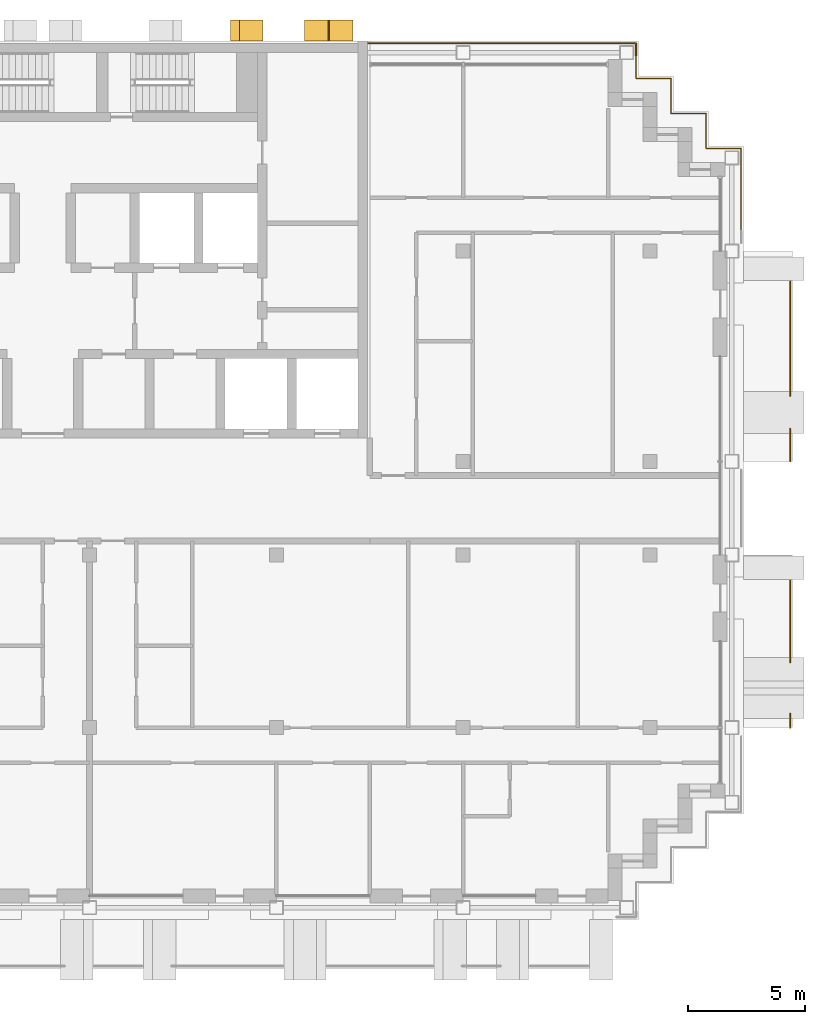
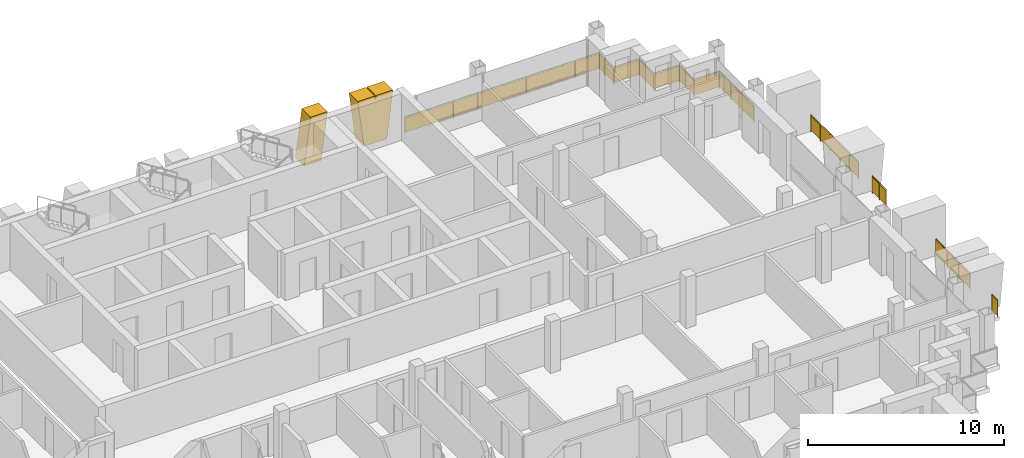
# One storey, part 16 of 16: 6 railings, 2 shading devices.
"""IFC4 building model written with IfcOpenShell, lengths in metres."""

from ifc_helpers import new_model, si_unit, direction, frame, origin, origin_2d, place, context, subcontext, project, spatial, polyline, rectangle, circle, outline, extrude, material, layer, layer_set, type_object, element, save


model = new_model("IFC4")

# Units and contexts
model_context = context("Model", 3, precision=1e-05, world=origin(), true_north=direction((0.0, 1.0)))
body_context = subcontext(model_context, "Body", "Model", "MODEL_VIEW")
ifc_project = project(units=[si_unit("LENGTHUNIT", "METRE"), si_unit("AREAUNIT", "SQUARE_METRE"), si_unit("VOLUMEUNIT", "CUBIC_METRE"), si_unit("PLANEANGLEUNIT", "RADIAN"), si_unit("MASSUNIT", "GRAM", prefix="KILO")], contexts=[model_context])

# Site, building, storey
site_placement = place(None, origin())
site = spatial("IfcSite", under=ifc_project, at=site_placement, CompositionType="ELEMENT")
building_placement = place(site_placement, origin())
building = spatial("IfcBuilding", under=site, at=building_placement, Name="Vidyagriha Tower", CompositionType="ELEMENT")
storey_placement = place(building_placement, frame((0.0, 0.0, 220.39990234375)))
storey = spatial("IfcBuildingStorey", under=building, at=storey_placement, Name="L57", CompositionType="ELEMENT", Elevation=220.39990234375)

# Railings
ifc_material_1 = material(Name="Steel ASTM A500 Grade C black painted", Category="steel")
railing_type_1 = type_object("IfcRailingType", Name="Balcony guard 1100", PredefinedType="BALUSTRADE", material=ifc_material_1)
railing_1_placement = place(storey_placement, frame((32.0, -9.39990234375, 0.0)))
element("IfcRailing", 1, at=railing_1_placement, inside=storey, type_object=railing_type_1, Name="Balcony guard L57 R30.1-1", PredefinedType="BALUSTRADE", context=body_context, shape_type="SweptSolid", body=[
    extrude(circle(Radius=0.02490234375, at=origin_2d()), frame((0.0, 0.0, 1.0751953125), z_axis=(0.0, 1.0, 0.0), x_axis=(-1.0, 0.0, 0.0)), (0.0, 0.0, 1.0), 0.5966796875),
    extrude(circle(Radius=0.02001953125, at=origin_2d()), origin(), (0.0, 0.0, 1.0), 1.050048828125),
    extrude(circle(Radius=0.02001953125, at=origin_2d()), frame((0.0, 0.5966796875, 0.0)), (0.0, 0.0, 1.0), 1.050048828125),
    extrude(rectangle(XDim=0.010009765625, YDim=0.900146484375, at=origin_2d()), frame((0.0, 0.0, 0.550048828125), z_axis=(0.0, 1.0, 0.0), x_axis=(-1.0, 0.0, 0.0)), (0.0, 0.0, 1.0), 0.5966796875),
])
railing_2_placement = place(storey_placement, frame((32.0, -6.5966796875, 0.0)))
element("IfcRailing", 2, at=railing_2_placement, inside=storey, type_object=railing_type_1, Name="Balcony guard L57 R30.1-2", PredefinedType="BALUSTRADE", context=body_context, shape_type="SweptSolid", body=[
    extrude(circle(Radius=0.02490234375, at=origin_2d()), frame((0.0, 0.0, 1.0751953125), z_axis=(0.0, 1.0, 0.0), x_axis=(-1.0, 0.0, 0.0)), (0.0, 0.0, 1.0), 3.49658203125),
    extrude(circle(Radius=0.02001953125, at=origin_2d()), origin(), (0.0, 0.0, 1.0), 1.050048828125),
    extrude(circle(Radius=0.02001953125, at=origin_2d()), frame((0.0, 1.16552734375, 0.0)), (0.0, 0.0, 1.0), 1.050048828125),
    extrude(circle(Radius=0.02001953125, at=origin_2d()), frame((0.0, 2.3310546875, 0.0)), (0.0, 0.0, 1.0), 1.050048828125),
    extrude(circle(Radius=0.02001953125, at=origin_2d()), frame((0.0, 3.49658203125, 0.0)), (0.0, 0.0, 1.0), 1.050048828125),
    extrude(rectangle(XDim=0.010009765625, YDim=0.900146484375, at=origin_2d()), frame((0.0, 0.0, 0.550048828125), z_axis=(0.0, 1.0, 0.0), x_axis=(-1.0, 0.0, 0.0)), (0.0, 0.0, 1.0), 3.49658203125),
])
railing_3_placement = place(storey_placement, frame((32.0, 2.0, 0.0)))
element("IfcRailing", 3, at=railing_3_placement, inside=storey, type_object=railing_type_1, Name="Balcony guard L57 R30.2-1", PredefinedType="BALUSTRADE", context=body_context, shape_type="SweptSolid", body=[
    extrude(circle(Radius=0.02490234375, at=origin_2d()), frame((0.0, 0.0, 1.0751953125), z_axis=(0.0, 1.0, 0.0), x_axis=(-1.0, 0.0, 0.0)), (0.0, 0.0, 1.0), 1.396728515625),
    extrude(circle(Radius=0.02001953125, at=origin_2d()), origin(), (0.0, 0.0, 1.0), 1.050048828125),
    extrude(circle(Radius=0.02001953125, at=origin_2d()), frame((0.0, 0.6982421875, 0.0)), (0.0, 0.0, 1.0), 1.050048828125),
    extrude(circle(Radius=0.02001953125, at=origin_2d()), frame((0.0, 1.396728515625, 0.0)), (0.0, 0.0, 1.0), 1.050048828125),
    extrude(rectangle(XDim=0.010009765625, YDim=0.900146484375, at=origin_2d()), frame((0.0, 0.0, 0.550048828125), z_axis=(0.0, 1.0, 0.0), x_axis=(-1.0, 0.0, 0.0)), (0.0, 0.0, 1.0), 1.396728515625),
])
railing_4_placement = place(storey_placement, frame((32.0, 4.80322265625, 0.0)))
element("IfcRailing", 4, at=railing_4_placement, inside=storey, type_object=railing_type_1, Name="Balcony guard L57 R30.2-2", PredefinedType="BALUSTRADE", context=body_context, shape_type="SweptSolid", body=[
    extrude(circle(Radius=0.02490234375, at=origin_2d()), frame((0.0, 0.0, 1.0751953125), z_axis=(0.0, 1.0, 0.0), x_axis=(-1.0, 0.0, 0.0)), (0.0, 0.0, 1.0), 4.896728515625),
    extrude(circle(Radius=0.02001953125, at=origin_2d()), origin(), (0.0, 0.0, 1.0), 1.050048828125),
    extrude(circle(Radius=0.02001953125, at=origin_2d()), frame((0.0, 0.979248046875, 0.0)), (0.0, 0.0, 1.0), 1.050048828125),
    extrude(circle(Radius=0.02001953125, at=origin_2d()), frame((0.0, 1.958740234375, 0.0)), (0.0, 0.0, 1.0), 1.050048828125),
    extrude(circle(Radius=0.02001953125, at=origin_2d()), frame((0.0, 2.93798828125, 0.0)), (0.0, 0.0, 1.0), 1.050048828125),
    extrude(circle(Radius=0.02001953125, at=origin_2d()), frame((0.0, 3.91748046875, 0.0)), (0.0, 0.0, 1.0), 1.050048828125),
    extrude(circle(Radius=0.02001953125, at=origin_2d()), frame((0.0, 4.896728515625, 0.0)), (0.0, 0.0, 1.0), 1.050048828125),
    extrude(rectangle(XDim=0.010009765625, YDim=0.900146484375, at=origin_2d()), frame((0.0, 0.0, 0.550048828125), z_axis=(0.0, 1.0, 0.0), x_axis=(-1.0, 0.0, 0.0)), (0.0, 0.0, 1.0), 4.896728515625),
])

# Shading devices
ifc_material_2 = material(Name="Precast concrete C40/50 with brick facing", Category="concrete")
ifc_layer_1 = layer(ifc_material_2, 1.0)
ifc_layer_set_1 = layer_set([ifc_layer_1], Name="Precast concrete C40/50 with brick facing")
shading_device_type_1 = type_object("IfcShadingDeviceType", Name="Brick-faced rear rib arm leaning 8 degrees", PredefinedType="USERDEFINED", material=ifc_layer_set_1)
shading_device_1_placement = place(storey_placement, frame((9.4287109375, 20.449951171875, 0.0), z_axis=(0.0, 0.0, 1.0), x_axis=(-1.0, 0.0, 0.0)))
element("IfcShadingDevice", 5, at=shading_device_1_placement, inside=storey, type_object=shading_device_type_1, Name="Rear rib arm L57 R08.2b", ObjectType="BLADE FIN", PredefinedType="USERDEFINED", context=body_context, shape_type="SweptSolid", body=[
    extrude(outline(polyline([(0.3857421875, 0.0), (1.3857421875, 0.0), (1.0, 2.920166015625), (0.0, 2.920166015625), (0.3857421875, 0.0)])), frame((0.0, 0.449951171875, 0.0), z_axis=(0.0, -1.0, 0.0), x_axis=(1.0, 0.0, 0.0)), (0.0, 0.0, 1.0), 0.89990234375),
])
ifc_material_3 = material(Name="Precast concrete C40/50 with brick facing", Category="concrete")
ifc_layer_2 = layer(ifc_material_3, 1.0)
ifc_layer_set_2 = layer_set([ifc_layer_2], Name="Precast concrete C40/50 with brick facing")
shading_device_type_2 = type_object("IfcShadingDeviceType", Name="Brick-faced rear rib forking 8 degrees", PredefinedType="USERDEFINED", material=ifc_layer_set_2)
shading_device_2_placement = place(storey_placement, frame((13.28564453125, 20.449951171875, 0.0), z_axis=(0.0, 0.0, 1.0), x_axis=(-1.0, 0.0, 0.0)))
element("IfcShadingDevice", 6, at=shading_device_2_placement, inside=storey, type_object=shading_device_type_2, Name="Rear rib fork L57 R08.1a", ObjectType="BLADE FIN", PredefinedType="USERDEFINED", context=body_context, shape_type="SweptSolid", body=[
    extrude(outline(polyline([(0.357177734375, 0.0), (1.71435546875, 0.0), (2.0712890625, 2.920166015625), (1.0712890625, 2.920166015625), (1.03564453125, 2.628173828125), (1.0, 2.920166015625), (0.0, 2.920166015625), (0.357177734375, 0.0)])), frame((0.0, 0.449951171875, 0.0), z_axis=(0.0, -1.0, 0.0), x_axis=(1.0, 0.0, 0.0)), (0.0, 0.0, 1.0), 0.89990234375),
])

# Railings
ifc_material_4 = material(Name="Steel ASTM A500 Grade C black painted", Category="steel")
railing_type_2 = type_object("IfcRailingType", Name="Gallery guard 1100", PredefinedType="GUARDRAIL", material=ifc_material_4)
railing_5_placement = place(storey_placement, frame((13.929931640625, 19.89990234375, 0.0)))
element("IfcRailing", 7, at=railing_5_placement, inside=storey, type_object=railing_type_2, Name="Gallery guard L57 7", PredefinedType="GUARDRAIL", context=body_context, shape_type="SweptSolid", body=[
    extrude(circle(Radius=0.02490234375, at=origin_2d()), frame((0.0, 0.0, 1.0751953125), z_axis=(1.0, 0.0, 0.0), x_axis=(0.0, 1.0, 0.0)), (0.0, 0.0, 1.0), 11.469970703125),
    extrude(circle(Radius=0.02490234375, at=origin_2d()), frame((11.469970703125, 0.0, 1.0751953125), z_axis=(0.0, -1.0, 0.0), x_axis=(1.0, 0.0, 0.0)), (0.0, 0.0, 1.0), 0.52978515625),
    extrude(circle(Radius=0.02001953125, at=origin_2d()), origin(), (0.0, 0.0, 1.0), 1.050048828125),
    extrude(circle(Radius=0.02001953125, at=origin_2d()), frame((1.433837890625, 0.0, 0.0)), (0.0, 0.0, 1.0), 1.050048828125),
    extrude(circle(Radius=0.02001953125, at=origin_2d()), frame((2.867431640625, 0.0, 0.0)), (0.0, 0.0, 1.0), 1.050048828125),
    extrude(circle(Radius=0.02001953125, at=origin_2d()), frame((4.30126953125, 0.0, 0.0)), (0.0, 0.0, 1.0), 1.050048828125),
    extrude(circle(Radius=0.02001953125, at=origin_2d()), frame((5.73486328125, 0.0, 0.0)), (0.0, 0.0, 1.0), 1.050048828125),
    extrude(circle(Radius=0.02001953125, at=origin_2d()), frame((7.168701171875, 0.0, 0.0)), (0.0, 0.0, 1.0), 1.050048828125),
    extrude(circle(Radius=0.02001953125, at=origin_2d()), frame((8.6025390625, 0.0, 0.0)), (0.0, 0.0, 1.0), 1.050048828125),
    extrude(circle(Radius=0.02001953125, at=origin_2d()), frame((10.0361328125, 0.0, 0.0)), (0.0, 0.0, 1.0), 1.050048828125),
    extrude(circle(Radius=0.02001953125, at=origin_2d()), frame((11.469970703125, 0.0, 0.0)), (0.0, 0.0, 1.0), 1.050048828125),
    extrude(circle(Radius=0.02001953125, at=origin_2d()), frame((11.469970703125, -0.52978515625, 0.0)), (0.0, 0.0, 1.0), 1.050048828125),
    extrude(rectangle(XDim=0.010009765625, YDim=0.900146484375, at=origin_2d()), frame((0.0, 0.0, 0.550048828125), z_axis=(1.0, 0.0, 0.0), x_axis=(0.0, 1.0, 0.0)), (0.0, 0.0, 1.0), 11.469970703125),
    extrude(rectangle(XDim=0.010009765625, YDim=0.900146484375, at=origin_2d()), frame((11.469970703125, 0.0, 0.550048828125), z_axis=(0.0, -1.0, 0.0), x_axis=(1.0, 0.0, 0.0)), (0.0, 0.0, 1.0), 0.52978515625),
])
railing_6_placement = place(storey_placement, frame((25.39990234375, 19.3701171875, 0.0)))
element("IfcRailing", 8, at=railing_6_placement, inside=storey, type_object=railing_type_2, Name="Gallery guard L57 8", PredefinedType="GUARDRAIL", context=body_context, shape_type="SweptSolid", body=[
    extrude(circle(Radius=0.02490234375, at=origin_2d()), frame((0.0, 0.0, 1.0751953125), z_axis=(0.0, -1.0, 0.0), x_axis=(1.0, 0.0, 0.0)), (0.0, 0.0, 1.0), 0.97021484375),
    extrude(circle(Radius=0.02490234375, at=origin_2d()), frame((0.0, -0.97021484375, 1.0751953125), z_axis=(1.0, 0.0, 0.0), x_axis=(0.0, 1.0, 0.0)), (0.0, 0.0, 1.0), 1.5),
    extrude(circle(Radius=0.02490234375, at=origin_2d()), frame((1.5, -0.97021484375, 1.0751953125), z_axis=(0.0, -1.0, 0.0), x_axis=(1.0, 0.0, 0.0)), (0.0, 0.0, 1.0), 1.5),
    extrude(circle(Radius=0.02490234375, at=origin_2d()), frame((1.5, -2.47021484375, 1.0751953125), z_axis=(1.0, 0.0, 0.0), x_axis=(0.0, 1.0, 0.0)), (0.0, 0.0, 1.0), 1.5),
    extrude(circle(Radius=0.02490234375, at=origin_2d()), frame((3.0, -2.47021484375, 1.0751953125), z_axis=(0.0, -1.0, 0.0), x_axis=(1.0, 0.0, 0.0)), (0.0, 0.0, 1.0), 1.5),
    extrude(circle(Radius=0.02490234375, at=origin_2d()), frame((3.0, -3.97021484375, 1.0751953125), z_axis=(1.0, 0.0, 0.0), x_axis=(0.0, 1.0, 0.0)), (0.0, 0.0, 1.0), 1.5),
    extrude(circle(Radius=0.02490234375, at=origin_2d()), frame((4.5, -3.97021484375, 1.0751953125), z_axis=(0.0, -1.0, 0.0), x_axis=(1.0, 0.0, 0.0)), (0.0, 0.0, 1.0), 3.52978515625),
    extrude(circle(Radius=0.02001953125, at=origin_2d()), origin(), (0.0, 0.0, 1.0), 1.050048828125),
    extrude(circle(Radius=0.02001953125, at=origin_2d()), frame((0.0, -0.97021484375, 0.0)), (0.0, 0.0, 1.0), 1.050048828125),
    extrude(circle(Radius=0.02001953125, at=origin_2d()), frame((1.5, -0.97021484375, 0.0)), (0.0, 0.0, 1.0), 1.050048828125),
    extrude(circle(Radius=0.02001953125, at=origin_2d()), frame((1.5, -2.47021484375, 0.0)), (0.0, 0.0, 1.0), 1.050048828125),
    extrude(circle(Radius=0.02001953125, at=origin_2d()), frame((3.0, -2.47021484375, 0.0)), (0.0, 0.0, 1.0), 1.050048828125),
    extrude(circle(Radius=0.02001953125, at=origin_2d()), frame((3.0, -3.97021484375, 0.0)), (0.0, 0.0, 1.0), 1.050048828125),
    extrude(circle(Radius=0.02001953125, at=origin_2d()), frame((4.5, -3.97021484375, 0.0)), (0.0, 0.0, 1.0), 1.050048828125),
    extrude(circle(Radius=0.02001953125, at=origin_2d()), frame((4.5, -5.146728515625, 0.0)), (0.0, 0.0, 1.0), 1.050048828125),
    extrude(circle(Radius=0.02001953125, at=origin_2d()), frame((4.5, -6.323486328125, 0.0)), (0.0, 0.0, 1.0), 1.050048828125),
    extrude(circle(Radius=0.02001953125, at=origin_2d()), frame((4.5, -7.5, 0.0)), (0.0, 0.0, 1.0), 1.050048828125),
    extrude(rectangle(XDim=0.010009765625, YDim=0.900146484375, at=origin_2d()), frame((0.0, 0.0, 0.550048828125), z_axis=(0.0, -1.0, 0.0), x_axis=(1.0, 0.0, 0.0)), (0.0, 0.0, 1.0), 0.97021484375),
    extrude(rectangle(XDim=0.010009765625, YDim=0.900146484375, at=origin_2d()), frame((0.0, -0.97021484375, 0.550048828125), z_axis=(1.0, 0.0, 0.0), x_axis=(0.0, 1.0, 0.0)), (0.0, 0.0, 1.0), 1.5),
    extrude(rectangle(XDim=0.010009765625, YDim=0.900146484375, at=origin_2d()), frame((1.5, -0.97021484375, 0.550048828125), z_axis=(0.0, -1.0, 0.0), x_axis=(1.0, 0.0, 0.0)), (0.0, 0.0, 1.0), 1.5),
    extrude(rectangle(XDim=0.010009765625, YDim=0.900146484375, at=origin_2d()), frame((1.5, -2.47021484375, 0.550048828125), z_axis=(1.0, 0.0, 0.0), x_axis=(0.0, 1.0, 0.0)), (0.0, 0.0, 1.0), 1.5),
    extrude(rectangle(XDim=0.010009765625, YDim=0.900146484375, at=origin_2d()), frame((3.0, -2.47021484375, 0.550048828125), z_axis=(0.0, -1.0, 0.0), x_axis=(1.0, 0.0, 0.0)), (0.0, 0.0, 1.0), 1.5),
    extrude(rectangle(XDim=0.010009765625, YDim=0.900146484375, at=origin_2d()), frame((3.0, -3.97021484375, 0.550048828125), z_axis=(1.0, 0.0, 0.0), x_axis=(0.0, 1.0, 0.0)), (0.0, 0.0, 1.0), 1.5),
    extrude(rectangle(XDim=0.010009765625, YDim=0.900146484375, at=origin_2d()), frame((4.5, -3.97021484375, 0.550048828125), z_axis=(0.0, -1.0, 0.0), x_axis=(1.0, 0.0, 0.0)), (0.0, 0.0, 1.0), 3.52978515625),
])

save(model, "model.ifc")
